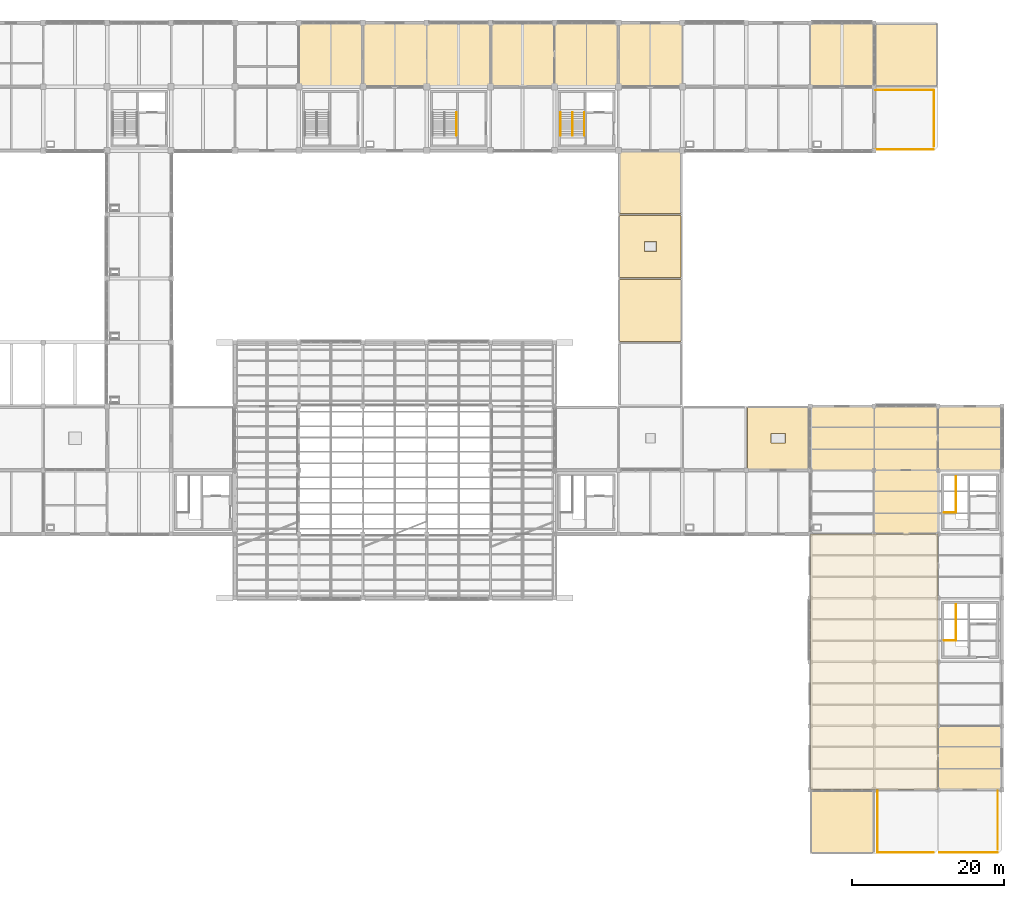
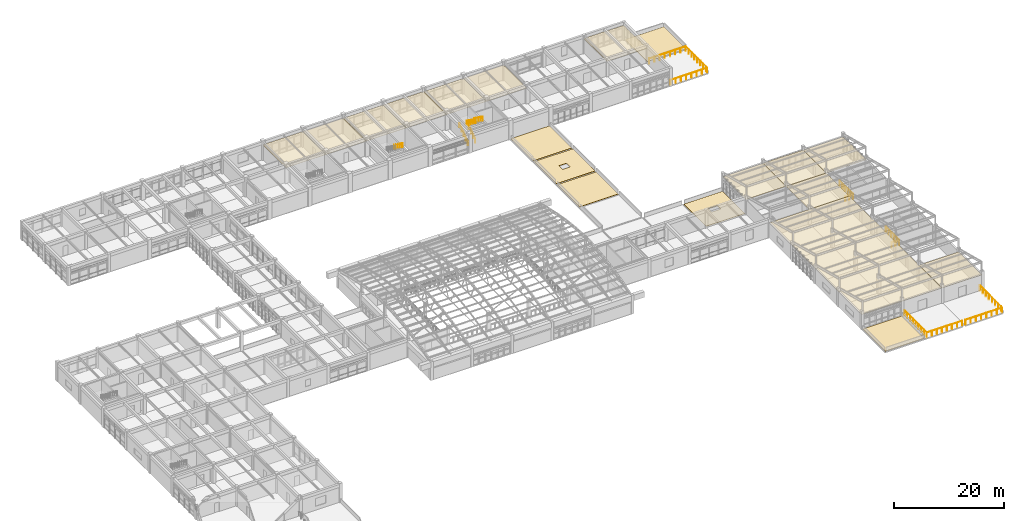
# One storey, part 74 of 74: 19 coverings, 14 railings.
"""IFC4 building model written with IfcOpenShell, lengths in metres."""

from ifc_helpers import new_model, si_unit, direction, frame, origin, origin_2d, place, context, subcontext, project, spatial, polyline, circle, outline, extrude, material, layer, layer_set, type_object, element, save


model = new_model("IFC4")

# Units and contexts
model_context = context("Model", 3, precision=1e-05, world=origin(), true_north=direction((0.0, 1.0)))
body_context = subcontext(model_context, "Body", "Model", "MODEL_VIEW")
ifc_project = project(units=[si_unit("LENGTHUNIT", "METRE"), si_unit("AREAUNIT", "SQUARE_METRE"), si_unit("VOLUMEUNIT", "CUBIC_METRE"), si_unit("PLANEANGLEUNIT", "RADIAN"), si_unit("MASSUNIT", "GRAM", prefix="KILO")], contexts=[model_context])

# Site, building, storey
site_placement = place(None, origin())
site = spatial("IfcSite", under=ifc_project, at=site_placement, CompositionType="ELEMENT")
building_placement = place(site_placement, origin())
building = spatial("IfcBuilding", under=site, at=building_placement, Name="Porcellanite Civic Hall", CompositionType="ELEMENT")
storey_placement = place(building_placement, frame((0.0, 0.0, 14.760009765625)))
storey = spatial("IfcBuildingStorey", under=building, at=storey_placement, Name="L03", CompositionType="ELEMENT", Elevation=14.760009765625)

# Coverings
ifc_material_1 = material(Name="Perforated acoustic mineral-fibre and spotted-gum batten ceiling")
ifc_layer_1 = layer(ifc_material_1, 0.02490234375)
ifc_layer_set_1 = layer_set([ifc_layer_1], Name="Perforated acoustic mineral-fibre and spotted-gum batten ceiling")
covering_type_1 = type_object("IfcCoveringType", Name="COV-CL1", PredefinedType="CEILING", material=ifc_layer_set_1)
covering_1_placement = place(storey_placement, frame((0.0, 0.0, 3.1650390625)))
element("IfcCovering", 1, at=covering_1_placement, inside=storey, type_object=covering_type_1, Name="Acoustic ceiling Members Library Special Collections", PredefinedType="CEILING", context=body_context, shape_type="SweptSolid", body=[
    extrude(outline(polyline([(142.81005859375, 16.81005859375), (159.590087890625, 16.81005859375), (159.590087890625, 50.389892578125), (142.81005859375, 50.389892578125), (142.81005859375, 16.81005859375)])), origin(), (0.0, 0.0, 1.0), 0.02490234375),
])
ifc_material_2 = material(Name="Perforated acoustic mineral-fibre and spotted-gum batten ceiling")
ifc_layer_2 = layer(ifc_material_2, 0.044921875)
ifc_layer_set_2 = layer_set([ifc_layer_2], Name="Perforated acoustic mineral-fibre and spotted-gum batten ceiling")
covering_type_2 = type_object("IfcCoveringType", Name="COV-CL3", PredefinedType="CEILING", material=ifc_layer_set_2)
covering_2_placement = place(storey_placement, frame((0.0, 0.0, 3.14501953125)))
element("IfcCovering", 2, at=covering_2_placement, inside=storey, type_object=covering_type_2, Name="Acoustic ceiling Building Certification Office L03-37", PredefinedType="CEILING", context=body_context, shape_type="SweptSolid", body=[
    extrude(outline(polyline([(75.610107421875, 109.2099609375), (83.989990234375, 109.2099609375), (83.989990234375, 117.590087890625), (75.610107421875, 117.590087890625), (75.610107421875, 109.2099609375)])), origin(), (0.0, 0.0, 1.0), 0.044921875),
])
covering_3_placement = place(storey_placement, frame((0.0, 0.0, 3.14501953125)))
element("IfcCovering", 3, at=covering_3_placement, inside=storey, type_object=covering_type_2, Name="Acoustic ceiling GIS Mapping Laboratory L03-39", PredefinedType="CEILING", context=body_context, shape_type="SweptSolid", body=[
    extrude(outline(polyline([(84.010009765625, 109.2099609375), (92.389892578125, 109.2099609375), (92.389892578125, 117.590087890625), (84.010009765625, 117.590087890625), (84.010009765625, 109.2099609375)])), origin(), (0.0, 0.0, 1.0), 0.044921875),
])
covering_4_placement = place(storey_placement, frame((0.0, 0.0, 3.14501953125)))
element("IfcCovering", 4, at=covering_4_placement, inside=storey, type_object=covering_type_2, Name="Acoustic ceiling GIS Mapping Laboratory L03-40", PredefinedType="CEILING", context=body_context, shape_type="SweptSolid", body=[
    extrude(outline(polyline([(92.409912109375, 109.2099609375), (100.7900390625, 109.2099609375), (100.7900390625, 117.590087890625), (92.409912109375, 117.590087890625), (92.409912109375, 109.2099609375)])), origin(), (0.0, 0.0, 1.0), 0.044921875),
])
covering_5_placement = place(storey_placement, frame((0.0, 0.0, 3.14501953125)))
element("IfcCovering", 5, at=covering_5_placement, inside=storey, type_object=covering_type_2, Name="Acoustic ceiling Building Certification Office L03-44", PredefinedType="CEILING", context=body_context, shape_type="SweptSolid", body=[
    extrude(outline(polyline([(100.81005859375, 109.2099609375), (109.18994140625, 109.2099609375), (109.18994140625, 117.590087890625), (100.81005859375, 117.590087890625), (100.81005859375, 109.2099609375)])), origin(), (0.0, 0.0, 1.0), 0.044921875),
])
covering_6_placement = place(storey_placement, frame((0.0, 0.0, 3.14501953125)))
element("IfcCovering", 6, at=covering_6_placement, inside=storey, type_object=covering_type_2, Name="Acoustic ceiling Building Certification Office L03-45", PredefinedType="CEILING", context=body_context, shape_type="SweptSolid", body=[
    extrude(outline(polyline([(109.2099609375, 109.2099609375), (117.590087890625, 109.2099609375), (117.590087890625, 117.590087890625), (109.2099609375, 117.590087890625), (109.2099609375, 109.2099609375)])), origin(), (0.0, 0.0, 1.0), 0.044921875),
])
covering_7_placement = place(storey_placement, frame((0.0, 0.0, 3.14501953125)))
element("IfcCovering", 7, at=covering_7_placement, inside=storey, type_object=covering_type_2, Name="Acoustic ceiling Heritage Advisory Room L03-48", PredefinedType="CEILING", context=body_context, shape_type="SweptSolid", body=[
    extrude(outline(polyline([(117.610107421875, 109.2099609375), (125.989990234375, 109.2099609375), (125.989990234375, 117.590087890625), (117.610107421875, 117.590087890625), (117.610107421875, 109.2099609375)])), origin(), (0.0, 0.0, 1.0), 0.044921875),
])
covering_8_placement = place(storey_placement, frame((0.0, 0.0, 3.14501953125)))
element("IfcCovering", 8, at=covering_8_placement, inside=storey, type_object=covering_type_2, Name="Acoustic ceiling Oral History Studio L03-53", PredefinedType="CEILING", context=body_context, shape_type="SweptSolid", body=[
    extrude(outline(polyline([(142.81005859375, 58.81005859375), (151.18994140625, 58.81005859375), (151.18994140625, 67.18994140625), (142.81005859375, 67.18994140625), (142.81005859375, 58.81005859375)])), origin(), (0.0, 0.0, 1.0), 0.044921875),
])
covering_9_placement = place(storey_placement, frame((0.0, 0.0, 3.14501953125)))
element("IfcCovering", 9, at=covering_9_placement, inside=storey, type_object=covering_type_2, Name="Acoustic ceiling Heritage Advisory Room L03-55", PredefinedType="CEILING", context=body_context, shape_type="SweptSolid", body=[
    extrude(outline(polyline([(142.81005859375, 109.2099609375), (151.18994140625, 109.2099609375), (151.18994140625, 117.590087890625), (142.81005859375, 117.590087890625), (142.81005859375, 109.2099609375)])), origin(), (0.0, 0.0, 1.0), 0.044921875),
])
covering_10_placement = place(storey_placement, frame((0.0, 0.0, 3.14501953125)))
element("IfcCovering", 10, at=covering_10_placement, inside=storey, type_object=covering_type_2, Name="Acoustic ceiling Parliamentary Research Suite L03-56", PredefinedType="CEILING", context=body_context, shape_type="SweptSolid", body=[
    extrude(outline(polyline([(151.2099609375, 50.409912109375), (159.590087890625, 50.409912109375), (159.590087890625, 58.7900390625), (151.2099609375, 58.7900390625), (151.2099609375, 50.409912109375)])), origin(), (0.0, 0.0, 1.0), 0.044921875),
])
covering_11_placement = place(storey_placement, frame((0.0, 0.0, 3.14501953125)))
element("IfcCovering", 11, at=covering_11_placement, inside=storey, type_object=covering_type_2, Name="Acoustic ceiling Manuscript Cataloguing Office L03-57", PredefinedType="CEILING", context=body_context, shape_type="SweptSolid", body=[
    extrude(outline(polyline([(151.2099609375, 58.81005859375), (159.590087890625, 58.81005859375), (159.590087890625, 67.18994140625), (151.2099609375, 67.18994140625), (151.2099609375, 58.81005859375)])), origin(), (0.0, 0.0, 1.0), 0.044921875),
])
covering_12_placement = place(storey_placement, frame((0.0, 0.0, 3.14501953125)))
element("IfcCovering", 12, at=covering_12_placement, inside=storey, type_object=covering_type_2, Name="Acoustic ceiling Rare Books Conservation Studio L03-58", PredefinedType="CEILING", context=body_context, shape_type="SweptSolid", body=[
    extrude(outline(polyline([(159.610107421875, 16.81005859375), (167.989990234375, 16.81005859375), (167.989990234375, 25.18994140625), (159.610107421875, 25.18994140625), (159.610107421875, 16.81005859375)])), origin(), (0.0, 0.0, 1.0), 0.044921875),
])
covering_13_placement = place(storey_placement, frame((0.0, 0.0, 3.14501953125)))
element("IfcCovering", 13, at=covering_13_placement, inside=storey, type_object=covering_type_2, Name="Acoustic ceiling Rare Books Conservation Studio L03-61", PredefinedType="CEILING", context=body_context, shape_type="SweptSolid", body=[
    extrude(outline(polyline([(159.610107421875, 58.81005859375), (167.989990234375, 58.81005859375), (167.989990234375, 67.18994140625), (159.610107421875, 67.18994140625), (159.610107421875, 58.81005859375)])), origin(), (0.0, 0.0, 1.0), 0.044921875),
])
ifc_material_3 = material(Name="Insulated light-reflective TPO monsoon roofing membrane")
ifc_layer_3 = layer(ifc_material_3, 0.080078125)
ifc_layer_set_3 = layer_set([ifc_layer_3], Name="Insulated light-reflective TPO monsoon roofing membrane")
covering_type_3 = type_object("IfcCoveringType", Name="COV-RF1", PredefinedType="ROOFING", material=ifc_layer_set_3)
covering_14_placement = place(storey_placement, origin())
element("IfcCovering", 14, at=covering_14_placement, inside=storey, type_object=covering_type_3, Name="Roof membrane L03 15-11", PredefinedType="ROOFING", context=body_context, shape_type="SweptSolid", body=[
    extrude(outline(polyline([(117.75, 84.14990234375), (125.85009765625, 84.14990234375), (125.85009765625, 92.25), (117.75, 92.25), (117.75, 84.14990234375)]), holes=[polyline([(121.0, 87.550048828125), (122.60009765625, 87.550048828125), (122.60009765625, 88.85009765625), (121.0, 88.85009765625), (121.0, 87.550048828125)])]), origin(), (0.0, 0.0, 1.0), 0.080078125),
])
covering_15_placement = place(storey_placement, origin())
element("IfcCovering", 15, at=covering_15_placement, inside=storey, type_object=covering_type_3, Name="Roof membrane L03 17-8", PredefinedType="ROOFING", context=body_context, shape_type="SweptSolid", body=[
    extrude(outline(polyline([(134.550048828125, 58.949951171875), (142.64990234375, 58.949951171875), (142.64990234375, 67.050048828125), (134.550048828125, 67.050048828125), (134.550048828125, 58.949951171875)]), holes=[polyline([(137.64990234375, 62.35009765625), (139.550048828125, 62.35009765625), (139.550048828125, 63.64990234375), (137.64990234375, 63.64990234375), (137.64990234375, 62.35009765625)])]), origin(), (0.0, 0.0, 1.0), 0.080078125),
])
ifc_material_4 = material(Name="Insulated light-reflective TPO monsoon roofing membrane")
ifc_layer_4 = layer(ifc_material_4, 0.070068359375)
ifc_layer_set_4 = layer_set([ifc_layer_4], Name="Insulated light-reflective TPO monsoon roofing membrane")
covering_type_4 = type_object("IfcCoveringType", Name="COV-RF2", PredefinedType="ROOFING", material=ifc_layer_set_4)
covering_16_placement = place(storey_placement, origin())
element("IfcCovering", 16, at=covering_16_placement, inside=storey, type_object=covering_type_4, Name="Roof membrane L03 15-12", PredefinedType="ROOFING", context=body_context, shape_type="SweptSolid", body=[
    extrude(outline(polyline([(117.75, 92.550048828125), (125.85009765625, 92.550048828125), (125.85009765625, 100.64990234375), (117.75, 100.64990234375), (117.75, 92.550048828125)])), origin(), (0.0, 0.0, 1.0), 0.070068359375),
])
covering_17_placement = place(storey_placement, origin())
element("IfcCovering", 17, at=covering_17_placement, inside=storey, type_object=covering_type_4, Name="Roof membrane L03 18-2", PredefinedType="ROOFING", context=body_context, shape_type="SweptSolid", body=[
    extrude(outline(polyline([(142.949951171875, 8.550048828125), (151.050048828125, 8.550048828125), (151.050048828125, 16.64990234375), (142.949951171875, 16.64990234375), (142.949951171875, 8.550048828125)])), origin(), (0.0, 0.0, 1.0), 0.070068359375),
])
ifc_material_5 = material(Name="Insulated light-reflective TPO monsoon roofing membrane")
ifc_layer_5 = layer(ifc_material_5, 0.06005859375)
ifc_layer_set_5 = layer_set([ifc_layer_5], Name="Insulated light-reflective TPO monsoon roofing membrane")
covering_type_5 = type_object("IfcCoveringType", Name="COV-RF3", PredefinedType="ROOFING", material=ifc_layer_set_5)
covering_18_placement = place(storey_placement, origin())
element("IfcCovering", 18, at=covering_18_placement, inside=storey, type_object=covering_type_5, Name="Roof membrane L03 15-10", PredefinedType="ROOFING", context=body_context, shape_type="SweptSolid", body=[
    extrude(outline(polyline([(117.75, 75.75), (125.85009765625, 75.75), (125.85009765625, 83.85009765625), (117.75, 83.85009765625), (117.75, 75.75)])), origin(), (0.0, 0.0, 1.0), 0.06005859375),
])
covering_19_placement = place(storey_placement, origin())
element("IfcCovering", 19, at=covering_19_placement, inside=storey, type_object=covering_type_5, Name="Roof membrane L03 19-14", PredefinedType="ROOFING", context=body_context, shape_type="SweptSolid", body=[
    extrude(outline(polyline([(151.35009765625, 109.35009765625), (159.449951171875, 109.35009765625), (159.449951171875, 117.449951171875), (151.35009765625, 117.449951171875), (151.35009765625, 109.35009765625)])), origin(), (0.0, 0.0, 1.0), 0.06005859375),
])

# Railings
ifc_material_6 = material(Name="Stainless steel 316", Category="steel")
railing_type_1 = type_object("IfcRailingType", Name="RL-BAL112", PredefinedType="BALUSTRADE", material=ifc_material_6)
for number, where, name in (
    (20, (151.360107421875, 100.9599609375, 0.0), "Terrace balustrade L03 S 19-13"),
    (21, (151.360107421875, 108.75, 0.0), "Terrace balustrade L03 N 19-13"),
):
    element("IfcRailing", number, at=place(storey_placement, frame(where)), inside=storey, type_object=railing_type_1, Name=name, PredefinedType="BALUSTRADE", context=body_context, shape_type="SweptSolid", body=[
        extrude(circle(Radius=0.02490234375, at=origin_2d()), frame((0.0, 0.0, 1.09521484375), z_axis=(1.0, 0.0, 0.0), x_axis=(0.0, 1.0, 0.0)), (0.0, 0.0, 1.0), 7.68994140625),
        extrude(circle(Radius=0.02197265625, at=origin_2d()), origin(), (0.0, 0.0, 1.0), 1.070068359375),
        extrude(circle(Radius=0.02197265625, at=origin_2d()), frame((1.0986328125, 0.0, 0.0)), (0.0, 0.0, 1.0), 1.070068359375),
        extrude(circle(Radius=0.02197265625, at=origin_2d()), frame((2.197021484375, 0.0, 0.0)), (0.0, 0.0, 1.0), 1.070068359375),
        extrude(circle(Radius=0.02197265625, at=origin_2d()), frame((3.295654296875, 0.0, 0.0)), (0.0, 0.0, 1.0), 1.070068359375),
        extrude(circle(Radius=0.02197265625, at=origin_2d()), frame((4.394287109375, 0.0, 0.0)), (0.0, 0.0, 1.0), 1.070068359375),
        extrude(circle(Radius=0.02197265625, at=origin_2d()), frame((5.492919921875, 0.0, 0.0)), (0.0, 0.0, 1.0), 1.070068359375),
        extrude(circle(Radius=0.02197265625, at=origin_2d()), frame((6.59130859375, 0.0, 0.0)), (0.0, 0.0, 1.0), 1.070068359375),
        extrude(circle(Radius=0.02197265625, at=origin_2d()), frame((7.68994140625, 0.0, 0.0)), (0.0, 0.0, 1.0), 1.070068359375),
    ])
railing_1_placement = place(storey_placement, frame((159.050048828125, 101.35009765625, 0.0)))
element("IfcRailing", 22, at=railing_1_placement, inside=storey, type_object=railing_type_1, Name="Terrace balustrade L03 E 19-13", PredefinedType="BALUSTRADE", context=body_context, shape_type="SweptSolid", body=[
    extrude(circle(Radius=0.02490234375, at=origin_2d()), frame((0.0, 0.0, 1.09521484375), z_axis=(0.0, 1.0, 0.0), x_axis=(-1.0, 0.0, 0.0)), (0.0, 0.0, 1.0), 7.39990234375),
    extrude(circle(Radius=0.02197265625, at=origin_2d()), origin(), (0.0, 0.0, 1.0), 1.070068359375),
    extrude(circle(Radius=0.02197265625, at=origin_2d()), frame((0.0, 1.05712890625, 0.0)), (0.0, 0.0, 1.0), 1.070068359375),
    extrude(circle(Radius=0.02197265625, at=origin_2d()), frame((0.0, 2.1142578125, 0.0)), (0.0, 0.0, 1.0), 1.070068359375),
    extrude(circle(Radius=0.02197265625, at=origin_2d()), frame((0.0, 3.17138671875, 0.0)), (0.0, 0.0, 1.0), 1.070068359375),
    extrude(circle(Radius=0.02197265625, at=origin_2d()), frame((0.0, 4.228515625, 0.0)), (0.0, 0.0, 1.0), 1.070068359375),
    extrude(circle(Radius=0.02197265625, at=origin_2d()), frame((0.0, 5.28564453125, 0.0)), (0.0, 0.0, 1.0), 1.070068359375),
    extrude(circle(Radius=0.02197265625, at=origin_2d()), frame((0.0, 6.3427734375, 0.0)), (0.0, 0.0, 1.0), 1.070068359375),
    extrude(circle(Radius=0.02197265625, at=origin_2d()), frame((0.0, 7.39990234375, 0.0)), (0.0, 0.0, 1.0), 1.070068359375),
])
railing_2_placement = place(storey_placement, frame((159.760009765625, 8.56005859375, 0.0)))
element("IfcRailing", 23, at=railing_2_placement, inside=storey, type_object=railing_type_1, Name="Terrace balustrade L03 S 20-2", PredefinedType="BALUSTRADE", context=body_context, shape_type="SweptSolid", body=[
    extrude(circle(Radius=0.02490234375, at=origin_2d()), frame((0.0, 0.0, 1.09521484375), z_axis=(1.0, 0.0, 0.0), x_axis=(0.0, 1.0, 0.0)), (0.0, 0.0, 1.0), 7.68994140625),
    extrude(circle(Radius=0.02197265625, at=origin_2d()), origin(), (0.0, 0.0, 1.0), 1.070068359375),
    extrude(circle(Radius=0.02197265625, at=origin_2d()), frame((1.0986328125, 0.0, 0.0)), (0.0, 0.0, 1.0), 1.070068359375),
    extrude(circle(Radius=0.02197265625, at=origin_2d()), frame((2.197021484375, 0.0, 0.0)), (0.0, 0.0, 1.0), 1.070068359375),
    extrude(circle(Radius=0.02197265625, at=origin_2d()), frame((3.295654296875, 0.0, 0.0)), (0.0, 0.0, 1.0), 1.070068359375),
    extrude(circle(Radius=0.02197265625, at=origin_2d()), frame((4.394287109375, 0.0, 0.0)), (0.0, 0.0, 1.0), 1.070068359375),
    extrude(circle(Radius=0.02197265625, at=origin_2d()), frame((5.492919921875, 0.0, 0.0)), (0.0, 0.0, 1.0), 1.070068359375),
    extrude(circle(Radius=0.02197265625, at=origin_2d()), frame((6.59130859375, 0.0, 0.0)), (0.0, 0.0, 1.0), 1.070068359375),
    extrude(circle(Radius=0.02197265625, at=origin_2d()), frame((7.68994140625, 0.0, 0.0)), (0.0, 0.0, 1.0), 1.070068359375),
])
railing_3_placement = place(storey_placement, frame((167.449951171875, 8.949951171875, 0.0)))
element("IfcRailing", 24, at=railing_3_placement, inside=storey, type_object=railing_type_1, Name="Terrace balustrade L03 E 20-2", PredefinedType="BALUSTRADE", context=body_context, shape_type="SweptSolid", body=[
    extrude(circle(Radius=0.02490234375, at=origin_2d()), frame((0.0, 0.0, 1.09521484375), z_axis=(0.0, 1.0, 0.0), x_axis=(-1.0, 0.0, 0.0)), (0.0, 0.0, 1.0), 7.68994140625),
    extrude(circle(Radius=0.02197265625, at=origin_2d()), origin(), (0.0, 0.0, 1.0), 1.070068359375),
    extrude(circle(Radius=0.02197265625, at=origin_2d()), frame((0.0, 1.0986328125, 0.0)), (0.0, 0.0, 1.0), 1.070068359375),
    extrude(circle(Radius=0.02197265625, at=origin_2d()), frame((0.0, 2.197021484375, 0.0)), (0.0, 0.0, 1.0), 1.070068359375),
    extrude(circle(Radius=0.02197265625, at=origin_2d()), frame((0.0, 3.295654296875, 0.0)), (0.0, 0.0, 1.0), 1.070068359375),
    extrude(circle(Radius=0.02197265625, at=origin_2d()), frame((0.0, 4.394287109375, 0.0)), (0.0, 0.0, 1.0), 1.070068359375),
    extrude(circle(Radius=0.02197265625, at=origin_2d()), frame((0.0, 5.492919921875, 0.0)), (0.0, 0.0, 1.0), 1.070068359375),
    extrude(circle(Radius=0.02197265625, at=origin_2d()), frame((0.0, 6.59130859375, 0.0)), (0.0, 0.0, 1.0), 1.070068359375),
    extrude(circle(Radius=0.02197265625, at=origin_2d()), frame((0.0, 7.68994140625, 0.0)), (0.0, 0.0, 1.0), 1.070068359375),
])
ifc_material_7 = material(Name="Brushed stainless steel 316", Category="steel")
railing_type_2 = type_object("IfcRailingType", Name="RL-GR114", PredefinedType="GUARDRAIL", material=ifc_material_7)
for number, where, name in (
    (25, (160.409912109375, 36.419921875, 0.0), "Stairwell top guard ST-07 L03"),
    (26, (160.409912109375, 53.219970703125, 0.0), "Stairwell top guard ST-08 L03"),
):
    element("IfcRailing", number, at=place(storey_placement, frame(where)), inside=storey, type_object=railing_type_2, Name=name, PredefinedType="GUARDRAIL", context=body_context, shape_type="SweptSolid", body=[
        extrude(circle(Radius=0.02490234375, at=origin_2d()), frame((0.0, 0.0, 1.11474609375), z_axis=(1.0, 0.0, 0.0), x_axis=(0.0, 1.0, 0.0)), (0.0, 0.0, 1.0), 1.550048828125),
        extrude(circle(Radius=0.02490234375, at=origin_2d()), frame((1.550048828125, 0.0, 1.11474609375), z_axis=(0.0, 1.0, 0.0), x_axis=(-1.0, 0.0, 0.0)), (0.0, 0.0, 1.0), 4.77001953125),
        extrude(circle(Radius=0.02099609375, at=origin_2d()), origin(), (0.0, 0.0, 1.0), 1.08984375),
        extrude(circle(Radius=0.02099609375, at=origin_2d()), frame((0.77490234375, 0.0, 0.0)), (0.0, 0.0, 1.0), 1.08984375),
        extrude(circle(Radius=0.02099609375, at=origin_2d()), frame((1.550048828125, 0.0, 0.0)), (0.0, 0.0, 1.0), 1.08984375),
        extrude(circle(Radius=0.02099609375, at=origin_2d()), frame((1.550048828125, 0.9541015625, 0.0)), (0.0, 0.0, 1.0), 1.08984375),
        extrude(circle(Radius=0.02099609375, at=origin_2d()), frame((1.550048828125, 1.907958984375, 0.0)), (0.0, 0.0, 1.0), 1.08984375),
        extrude(circle(Radius=0.02099609375, at=origin_2d()), frame((1.550048828125, 2.862060546875, 0.0)), (0.0, 0.0, 1.0), 1.08984375),
        extrude(circle(Radius=0.02099609375, at=origin_2d()), frame((1.550048828125, 3.81591796875, 0.0)), (0.0, 0.0, 1.0), 1.08984375),
        extrude(circle(Radius=0.02099609375, at=origin_2d()), frame((1.550048828125, 4.77001953125, 0.0)), (0.0, 0.0, 1.0), 1.08984375),
    ])
ifc_material_8 = material(Name="Brushed stainless steel 316", Category="steel")
railing_type_3 = type_object("IfcRailingType", Name="RL-HR920", PredefinedType="HANDRAIL", material=ifc_material_8)
railing_4_placement = place(storey_placement, frame((109.985107421875, 102.800048828125, 0.0)))
element("IfcRailing", 27, at=railing_4_placement, inside=storey, type_object=railing_type_3, Name="Stair handrail ST-04 L03 1", PredefinedType="HANDRAIL", context=body_context, shape_type="SweptSolid", body=[
    extrude(circle(Radius=0.02197265625, at=origin_2d()), frame((0.0, 0.0, 0.89794921875), z_axis=(0.0, 0.813826661234, 0.581107705564), x_axis=(-1.0, 0.0, 0.0)), (0.0, 0.0, 1.0), 3.716796875),
    extrude(circle(Radius=0.01904296875, at=origin_2d()), origin(), (0.0, 0.0, 1.0), 0.8759765625),
    extrude(circle(Radius=0.01904296875, at=origin_2d()), frame((0.0, 0.75634765625, 0.5400390625)), (0.0, 0.0, 1.0), 0.8759765625),
    extrude(circle(Radius=0.01904296875, at=origin_2d()), frame((0.0, 1.512451171875, 1.080078125)), (0.0, 0.0, 1.0), 0.8759765625),
    extrude(circle(Radius=0.01904296875, at=origin_2d()), frame((0.0, 2.2685546875, 1.619873046875)), (0.0, 0.0, 1.0), 0.8759765625),
    extrude(circle(Radius=0.01904296875, at=origin_2d()), frame((0.0, 3.02490234375, 2.159912109375)), (0.0, 0.0, 1.0), 0.8759765625),
])
railing_5_placement = place(storey_placement, frame((111.56494140625, 105.824951171875, 2.159912109375)))
element("IfcRailing", 28, at=railing_5_placement, inside=storey, type_object=railing_type_3, Name="Stair handrail ST-04 L03 3", PredefinedType="HANDRAIL", context=body_context, shape_type="SweptSolid", body=[
    extrude(circle(Radius=0.02197265625, at=origin_2d()), frame((0.0, 0.0, 0.89794921875), z_axis=(0.0, -0.813795597845, 0.581151206596), x_axis=(1.0, 0.0, 0.0)), (0.0, 0.0, 1.0), 3.717041015625),
    extrude(circle(Radius=0.01904296875, at=origin_2d()), origin(), (0.0, 0.0, 1.0), 0.8759765625),
    extrude(circle(Radius=0.01904296875, at=origin_2d()), frame((0.0, -0.75634765625, 0.5400390625)), (0.0, 0.0, 1.0), 0.8759765625),
    extrude(circle(Radius=0.01904296875, at=origin_2d()), frame((0.0, -1.512451171875, 1.080078125)), (0.0, 0.0, 1.0), 0.8759765625),
    extrude(circle(Radius=0.01904296875, at=origin_2d()), frame((0.0, -2.2685546875, 1.6201171875)), (0.0, 0.0, 1.0), 0.8759765625),
    extrude(circle(Radius=0.01904296875, at=origin_2d()), frame((0.0, -3.02490234375, 2.16015625)), (0.0, 0.0, 1.0), 0.8759765625),
])
ifc_material_9 = material(Name="Brushed stainless steel 316", Category="steel")
railing_type_4 = type_object("IfcRailingType", Name="RL-HR950", PredefinedType="HANDRAIL", material=ifc_material_9)
railing_6_placement = place(storey_placement, frame((111.534912109375, 102.800048828125, 0.0)))
element("IfcRailing", 29, at=railing_6_placement, inside=storey, type_object=railing_type_4, Name="Stair handrail ST-04 L03 2", PredefinedType="HANDRAIL", context=body_context, shape_type="SweptSolid", body=[
    extrude(circle(Radius=0.02197265625, at=origin_2d()), frame((0.0, 0.0, 0.927978515625), z_axis=(0.0, 0.813826661234, 0.581107705564), x_axis=(-1.0, 0.0, 0.0)), (0.0, 0.0, 1.0), 3.716796875),
    extrude(circle(Radius=0.01904296875, at=origin_2d()), origin(), (0.0, 0.0, 1.0), 0.906005859375),
    extrude(circle(Radius=0.01904296875, at=origin_2d()), frame((0.0, 0.75634765625, 0.5400390625)), (0.0, 0.0, 1.0), 0.906005859375),
    extrude(circle(Radius=0.01904296875, at=origin_2d()), frame((0.0, 1.512451171875, 1.080078125)), (0.0, 0.0, 1.0), 0.906005859375),
    extrude(circle(Radius=0.01904296875, at=origin_2d()), frame((0.0, 2.2685546875, 1.619873046875)), (0.0, 0.0, 1.0), 0.906005859375),
    extrude(circle(Radius=0.01904296875, at=origin_2d()), frame((0.0, 3.02490234375, 2.159912109375)), (0.0, 0.0, 1.0), 0.906005859375),
])
for number, where, name in (
    (30, (113.114990234375, 105.824951171875, 2.159912109375), "Stair handrail ST-04 L03 4"),
    (31, (96.31494140625, 105.824951171875, 2.159912109375), "Stair handrail ST-10 L03 4"),
):
    element("IfcRailing", number, at=place(storey_placement, frame(where)), inside=storey, type_object=railing_type_4, Name=name, PredefinedType="HANDRAIL", context=body_context, shape_type="SweptSolid", body=[
        extrude(circle(Radius=0.02197265625, at=origin_2d()), frame((0.0, 0.0, 0.927978515625), z_axis=(0.0, -0.813795597845, 0.581151206596), x_axis=(1.0, 0.0, 0.0)), (0.0, 0.0, 1.0), 3.717041015625),
        extrude(circle(Radius=0.01904296875, at=origin_2d()), origin(), (0.0, 0.0, 1.0), 0.906005859375),
        extrude(circle(Radius=0.01904296875, at=origin_2d()), frame((0.0, -0.75634765625, 0.5400390625)), (0.0, 0.0, 1.0), 0.906005859375),
        extrude(circle(Radius=0.01904296875, at=origin_2d()), frame((0.0, -1.512451171875, 1.080078125)), (0.0, 0.0, 1.0), 0.906005859375),
        extrude(circle(Radius=0.01904296875, at=origin_2d()), frame((0.0, -2.2685546875, 1.6201171875)), (0.0, 0.0, 1.0), 0.906005859375),
        extrude(circle(Radius=0.01904296875, at=origin_2d()), frame((0.0, -3.02490234375, 2.16015625)), (0.0, 0.0, 1.0), 0.906005859375),
    ])
ifc_material_10 = material(Name="Anodised aluminium 6063-T6", Category="aluminium")
railing_type_5 = type_object("IfcRailingType", Name="RL-TER115", PredefinedType="BALUSTRADE", material=ifc_material_10)
railing_7_placement = place(storey_placement, frame((151.64990234375, 8.56005859375, 0.0)))
element("IfcRailing", 32, at=railing_7_placement, inside=storey, type_object=railing_type_5, Name="Terrace balustrade L03 S 19-2", PredefinedType="BALUSTRADE", context=body_context, shape_type="SweptSolid", body=[
    extrude(circle(Radius=0.02490234375, at=origin_2d()), frame((0.0, 0.0, 1.125), z_axis=(1.0, 0.0, 0.0), x_axis=(0.0, 1.0, 0.0)), (0.0, 0.0, 1.0), 7.400146484375),
    extrude(circle(Radius=0.02197265625, at=origin_2d()), origin(), (0.0, 0.0, 1.0), 1.099853515625),
    extrude(circle(Radius=0.02197265625, at=origin_2d()), frame((1.05712890625, 0.0, 0.0)), (0.0, 0.0, 1.0), 1.099853515625),
    extrude(circle(Radius=0.02197265625, at=origin_2d()), frame((2.1142578125, 0.0, 0.0)), (0.0, 0.0, 1.0), 1.099853515625),
    extrude(circle(Radius=0.02197265625, at=origin_2d()), frame((3.17138671875, 0.0, 0.0)), (0.0, 0.0, 1.0), 1.099853515625),
    extrude(circle(Radius=0.02197265625, at=origin_2d()), frame((4.228759765625, 0.0, 0.0)), (0.0, 0.0, 1.0), 1.099853515625),
    extrude(circle(Radius=0.02197265625, at=origin_2d()), frame((5.285888671875, 0.0, 0.0)), (0.0, 0.0, 1.0), 1.099853515625),
    extrude(circle(Radius=0.02197265625, at=origin_2d()), frame((6.343017578125, 0.0, 0.0)), (0.0, 0.0, 1.0), 1.099853515625),
    extrude(circle(Radius=0.02197265625, at=origin_2d()), frame((7.400146484375, 0.0, 0.0)), (0.0, 0.0, 1.0), 1.099853515625),
])
railing_8_placement = place(storey_placement, frame((151.64990234375, 8.56005859375, 0.0)))
element("IfcRailing", 33, at=railing_8_placement, inside=storey, type_object=railing_type_5, Name="Terrace balustrade L03 W 19-2", PredefinedType="BALUSTRADE", context=body_context, shape_type="SweptSolid", body=[
    extrude(circle(Radius=0.02490234375, at=origin_2d()), frame((0.0, 0.0, 1.125), z_axis=(0.0, 1.0, 0.0), x_axis=(-1.0, 0.0, 0.0)), (0.0, 0.0, 1.0), 8.079833984375),
    extrude(circle(Radius=0.02197265625, at=origin_2d()), origin(), (0.0, 0.0, 1.0), 1.099853515625),
    extrude(circle(Radius=0.02197265625, at=origin_2d()), frame((0.0, 1.010009765625, 0.0)), (0.0, 0.0, 1.0), 1.099853515625),
    extrude(circle(Radius=0.02197265625, at=origin_2d()), frame((0.0, 2.02001953125, 0.0)), (0.0, 0.0, 1.0), 1.099853515625),
    extrude(circle(Radius=0.02197265625, at=origin_2d()), frame((0.0, 3.030029296875, 0.0)), (0.0, 0.0, 1.0), 1.099853515625),
    extrude(circle(Radius=0.02197265625, at=origin_2d()), frame((0.0, 4.0400390625, 0.0)), (0.0, 0.0, 1.0), 1.099853515625),
    extrude(circle(Radius=0.02197265625, at=origin_2d()), frame((0.0, 5.0498046875, 0.0)), (0.0, 0.0, 1.0), 1.099853515625),
    extrude(circle(Radius=0.02197265625, at=origin_2d()), frame((0.0, 6.059814453125, 0.0)), (0.0, 0.0, 1.0), 1.099853515625),
    extrude(circle(Radius=0.02197265625, at=origin_2d()), frame((0.0, 7.06982421875, 0.0)), (0.0, 0.0, 1.0), 1.099853515625),
    extrude(circle(Radius=0.02197265625, at=origin_2d()), frame((0.0, 8.079833984375, 0.0)), (0.0, 0.0, 1.0), 1.099853515625),
])

save(model, "model.ifc")
